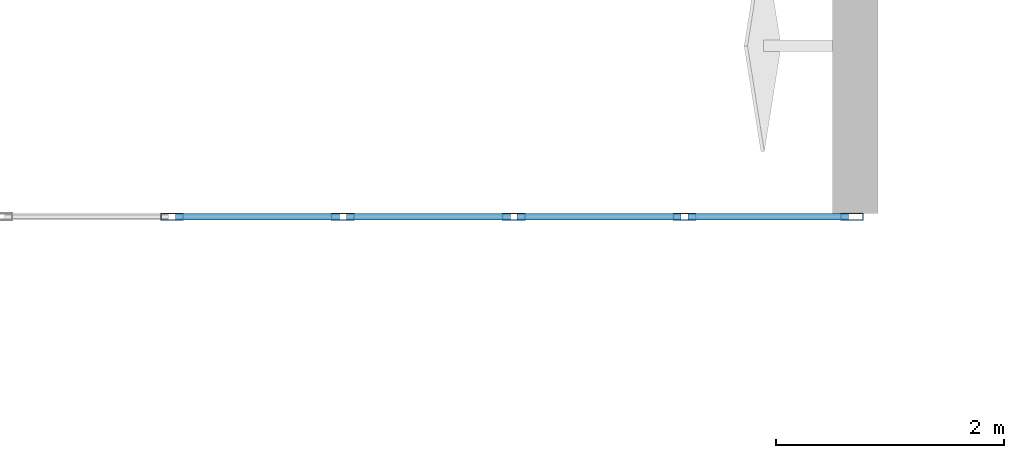
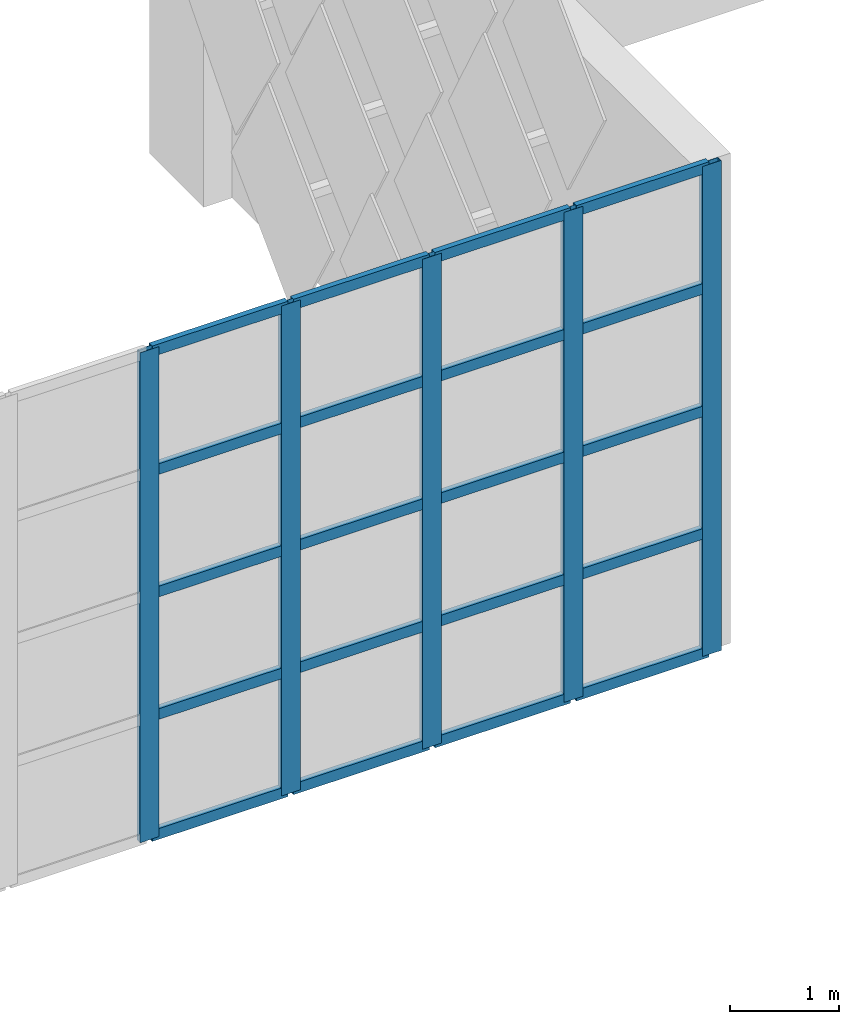
# One storey, part 46 of 185: 25 members, 1 element without a shape of its own.
"""IFC4 building model written with IfcOpenShell, lengths in metres."""

from ifc_helpers import new_model, si_unit, direction, frame, origin, origin_2d, place, context, subcontext, project, spatial, hollow_rectangle, extrude, material, layer, layer_set, material_profile, profile_set, type_object, element, aggregate, save


model = new_model("IFC4")

# Units and contexts
model_context = context("Model", 3, precision=1e-05, world=origin(), true_north=direction((0.0, 1.0)))
body_context = subcontext(model_context, "Body", "Model", "MODEL_VIEW")
ifc_project = project(units=[si_unit("LENGTHUNIT", "METRE"), si_unit("AREAUNIT", "SQUARE_METRE"), si_unit("VOLUMEUNIT", "CUBIC_METRE"), si_unit("PLANEANGLEUNIT", "RADIAN"), si_unit("MASSUNIT", "GRAM", prefix="KILO")], contexts=[model_context])

# Site, building, storey
site_placement = place(None, origin())
site = spatial("IfcSite", under=ifc_project, at=site_placement, CompositionType="ELEMENT")
building_placement = place(site_placement, origin())
building = spatial("IfcBuilding", under=site, at=building_placement, Name="Opaline Strait Convention Centre", CompositionType="ELEMENT")
storey_placement = place(building_placement, frame((0.0, 0.0, 6.0)))
storey = spatial("IfcBuildingStorey", under=building, at=storey_placement, Name="L01", CompositionType="ELEMENT", Elevation=6.0)

# Curtain wall, members
ifc_material_1 = material(Name="Aluminium framed glazing", Category="aluminium")
ifc_layer = layer(ifc_material_1, 0.199951171875)
ifc_layer_set = layer_set([ifc_layer], Name="Aluminium framed glazing")
curtain_wall_type = type_object("IfcCurtainWallType", Name="Entrance curtain wall 1500", PredefinedType="NOTDEFINED", material=ifc_layer_set)
curtain_wall_placement = place(storey_placement, origin())
curtain_wall = element("IfcCurtainWall", 1, at=curtain_wall_placement, inside=storey, type_object=curtain_wall_type, Name="Entrance curtain wall L01-R3", PredefinedType="NOTDEFINED")
ifc_material_2 = material(Name="Aluminium alloy 6063", Category="aluminium")
ifc_material_profile_1 = material_profile(ifc_material_2, hollow_rectangle(XDim=0.06005859375, YDim=0.199951171875, WallThickness=0.00390625, at=origin_2d()), Name="MULLION 60x200x4")
ifc_profile_set_1 = profile_set([ifc_material_profile_1], Name="Aluminium alloy 6063")
member_type_1 = type_object("IfcMemberType", Name="Curtain wall mullion 60 x 200", PredefinedType="MULLION", material=ifc_profile_set_1)
member_1_placement = place(storey_placement, frame((201.0, 144.0, 0.0), z_axis=(0.0, 0.0, 1.0), x_axis=(0.0, 1.0, 0.0)))
member_1 = element("IfcMember", 2, at=member_1_placement, type_object=member_type_1, Name="XCW mullion 9", PredefinedType="MULLION", context=body_context, shape_type="SweptSolid", body=[
    extrude(hollow_rectangle(XDim=0.06005859375, YDim=0.199951171875, WallThickness=0.00390625, at=origin_2d()), origin(), (0.0, 0.0, 1.0), 5.5),
])
member_2_placement = place(storey_placement, frame((202.5, 144.0, 0.0), z_axis=(0.0, 0.0, 1.0), x_axis=(0.0, 1.0, 0.0)))
member_2 = element("IfcMember", 3, at=member_2_placement, type_object=member_type_1, Name="XCW mullion 10", PredefinedType="MULLION", context=body_context, shape_type="SweptSolid", body=[
    extrude(hollow_rectangle(XDim=0.06005859375, YDim=0.199951171875, WallThickness=0.00390625, at=origin_2d()), origin(), (0.0, 0.0, 1.0), 5.5),
])
member_3_placement = place(storey_placement, frame((204.0, 144.0, 0.0), z_axis=(0.0, 0.0, 1.0), x_axis=(0.0, 1.0, 0.0)))
member_3 = element("IfcMember", 4, at=member_3_placement, type_object=member_type_1, Name="XCW mullion 11", PredefinedType="MULLION", context=body_context, shape_type="SweptSolid", body=[
    extrude(hollow_rectangle(XDim=0.06005859375, YDim=0.199951171875, WallThickness=0.00390625, at=origin_2d()), origin(), (0.0, 0.0, 1.0), 5.5),
])
member_4_placement = place(storey_placement, frame((205.5, 144.0, 0.0), z_axis=(0.0, 0.0, 1.0), x_axis=(0.0, 1.0, 0.0)))
member_4 = element("IfcMember", 5, at=member_4_placement, type_object=member_type_1, Name="XCW mullion 12", PredefinedType="MULLION", context=body_context, shape_type="SweptSolid", body=[
    extrude(hollow_rectangle(XDim=0.06005859375, YDim=0.199951171875, WallThickness=0.00390625, at=origin_2d()), origin(), (0.0, 0.0, 1.0), 5.5),
])
member_5_placement = place(storey_placement, frame((206.969970703125, 144.0, 0.0), z_axis=(0.0, 0.0, 1.0), x_axis=(0.0, 1.0, 0.0)))
member_5 = element("IfcMember", 6, at=member_5_placement, type_object=member_type_1, Name="XCW mullion 13", PredefinedType="MULLION", context=body_context, shape_type="SweptSolid", body=[
    extrude(hollow_rectangle(XDim=0.06005859375, YDim=0.199951171875, WallThickness=0.00390625, at=origin_2d()), origin(), (0.0, 0.0, 1.0), 5.5),
])
ifc_material_profile_2 = material_profile(ifc_material_2, hollow_rectangle(XDim=0.06005859375, YDim=0.1201171875, WallThickness=0.0029296875, at=origin_2d()), Name="TRANSOM 60x120x3")
ifc_profile_set_2 = profile_set([ifc_material_profile_2], Name="Aluminium alloy 6063")
member_type_2 = type_object("IfcMemberType", Name="Curtain wall transom 60 x 120", PredefinedType="USERDEFINED", material=ifc_profile_set_2)
member_6_placement = place(storey_placement, frame((201.030029296875, 144.0, 0.030029296875), z_axis=(1.0, 0.0, 0.0), x_axis=(0.0, 1.0, 0.0)))
member_6 = element("IfcMember", 7, at=member_6_placement, type_object=member_type_2, Name="XCW transom 9.1", ObjectType="TRANSOM", PredefinedType="USERDEFINED", context=body_context, shape_type="SweptSolid", body=[
    extrude(hollow_rectangle(XDim=0.06005859375, YDim=0.1201171875, WallThickness=0.0029296875, at=origin_2d()), origin(), (0.0, 0.0, 1.0), 1.43994140625),
])
member_7_placement = place(storey_placement, frame((201.030029296875, 144.0, 1.375), z_axis=(1.0, 0.0, 0.0), x_axis=(0.0, 1.0, 0.0)))
member_7 = element("IfcMember", 8, at=member_7_placement, type_object=member_type_2, Name="XCW transom 9.2", ObjectType="TRANSOM", PredefinedType="USERDEFINED", context=body_context, shape_type="SweptSolid", body=[
    extrude(hollow_rectangle(XDim=0.06005859375, YDim=0.1201171875, WallThickness=0.0029296875, at=origin_2d()), origin(), (0.0, 0.0, 1.0), 1.43994140625),
])
member_8_placement = place(storey_placement, frame((201.030029296875, 144.0, 2.75), z_axis=(1.0, 0.0, 0.0), x_axis=(0.0, 1.0, 0.0)))
member_8 = element("IfcMember", 9, at=member_8_placement, type_object=member_type_2, Name="XCW transom 9.3", ObjectType="TRANSOM", PredefinedType="USERDEFINED", context=body_context, shape_type="SweptSolid", body=[
    extrude(hollow_rectangle(XDim=0.06005859375, YDim=0.1201171875, WallThickness=0.0029296875, at=origin_2d()), origin(), (0.0, 0.0, 1.0), 1.43994140625),
])
member_9_placement = place(storey_placement, frame((201.030029296875, 144.0, 4.125), z_axis=(1.0, 0.0, 0.0), x_axis=(0.0, 1.0, 0.0)))
member_9 = element("IfcMember", 10, at=member_9_placement, type_object=member_type_2, Name="XCW transom 9.4", ObjectType="TRANSOM", PredefinedType="USERDEFINED", context=body_context, shape_type="SweptSolid", body=[
    extrude(hollow_rectangle(XDim=0.06005859375, YDim=0.1201171875, WallThickness=0.0029296875, at=origin_2d()), origin(), (0.0, 0.0, 1.0), 1.43994140625),
])
member_10_placement = place(storey_placement, frame((201.030029296875, 144.0, 5.469970703125), z_axis=(1.0, 0.0, 0.0), x_axis=(0.0, 1.0, 0.0)))
member_10 = element("IfcMember", 11, at=member_10_placement, type_object=member_type_2, Name="XCW transom 9.5", ObjectType="TRANSOM", PredefinedType="USERDEFINED", context=body_context, shape_type="SweptSolid", body=[
    extrude(hollow_rectangle(XDim=0.06005859375, YDim=0.1201171875, WallThickness=0.0029296875, at=origin_2d()), origin(), (0.0, 0.0, 1.0), 1.43994140625),
])
member_11_placement = place(storey_placement, frame((202.530029296875, 144.0, 0.030029296875), z_axis=(1.0, 0.0, 0.0), x_axis=(0.0, 1.0, 0.0)))
member_11 = element("IfcMember", 12, at=member_11_placement, type_object=member_type_2, Name="XCW transom 10.1", ObjectType="TRANSOM", PredefinedType="USERDEFINED", context=body_context, shape_type="SweptSolid", body=[
    extrude(hollow_rectangle(XDim=0.06005859375, YDim=0.1201171875, WallThickness=0.0029296875, at=origin_2d()), origin(), (0.0, 0.0, 1.0), 1.43994140625),
])
member_12_placement = place(storey_placement, frame((202.530029296875, 144.0, 1.375), z_axis=(1.0, 0.0, 0.0), x_axis=(0.0, 1.0, 0.0)))
member_12 = element("IfcMember", 13, at=member_12_placement, type_object=member_type_2, Name="XCW transom 10.2", ObjectType="TRANSOM", PredefinedType="USERDEFINED", context=body_context, shape_type="SweptSolid", body=[
    extrude(hollow_rectangle(XDim=0.06005859375, YDim=0.1201171875, WallThickness=0.0029296875, at=origin_2d()), origin(), (0.0, 0.0, 1.0), 1.43994140625),
])
member_13_placement = place(storey_placement, frame((202.530029296875, 144.0, 2.75), z_axis=(1.0, 0.0, 0.0), x_axis=(0.0, 1.0, 0.0)))
member_13 = element("IfcMember", 14, at=member_13_placement, type_object=member_type_2, Name="XCW transom 10.3", ObjectType="TRANSOM", PredefinedType="USERDEFINED", context=body_context, shape_type="SweptSolid", body=[
    extrude(hollow_rectangle(XDim=0.06005859375, YDim=0.1201171875, WallThickness=0.0029296875, at=origin_2d()), origin(), (0.0, 0.0, 1.0), 1.43994140625),
])
member_14_placement = place(storey_placement, frame((202.530029296875, 144.0, 4.125), z_axis=(1.0, 0.0, 0.0), x_axis=(0.0, 1.0, 0.0)))
member_14 = element("IfcMember", 15, at=member_14_placement, type_object=member_type_2, Name="XCW transom 10.4", ObjectType="TRANSOM", PredefinedType="USERDEFINED", context=body_context, shape_type="SweptSolid", body=[
    extrude(hollow_rectangle(XDim=0.06005859375, YDim=0.1201171875, WallThickness=0.0029296875, at=origin_2d()), origin(), (0.0, 0.0, 1.0), 1.43994140625),
])
member_15_placement = place(storey_placement, frame((202.530029296875, 144.0, 5.469970703125), z_axis=(1.0, 0.0, 0.0), x_axis=(0.0, 1.0, 0.0)))
member_15 = element("IfcMember", 16, at=member_15_placement, type_object=member_type_2, Name="XCW transom 10.5", ObjectType="TRANSOM", PredefinedType="USERDEFINED", context=body_context, shape_type="SweptSolid", body=[
    extrude(hollow_rectangle(XDim=0.06005859375, YDim=0.1201171875, WallThickness=0.0029296875, at=origin_2d()), origin(), (0.0, 0.0, 1.0), 1.43994140625),
])
member_16_placement = place(storey_placement, frame((204.030029296875, 144.0, 0.030029296875), z_axis=(1.0, 0.0, 0.0), x_axis=(0.0, 1.0, 0.0)))
member_16 = element("IfcMember", 17, at=member_16_placement, type_object=member_type_2, Name="XCW transom 11.1", ObjectType="TRANSOM", PredefinedType="USERDEFINED", context=body_context, shape_type="SweptSolid", body=[
    extrude(hollow_rectangle(XDim=0.06005859375, YDim=0.1201171875, WallThickness=0.0029296875, at=origin_2d()), origin(), (0.0, 0.0, 1.0), 1.43994140625),
])
member_17_placement = place(storey_placement, frame((204.030029296875, 144.0, 1.375), z_axis=(1.0, 0.0, 0.0), x_axis=(0.0, 1.0, 0.0)))
member_17 = element("IfcMember", 18, at=member_17_placement, type_object=member_type_2, Name="XCW transom 11.2", ObjectType="TRANSOM", PredefinedType="USERDEFINED", context=body_context, shape_type="SweptSolid", body=[
    extrude(hollow_rectangle(XDim=0.06005859375, YDim=0.1201171875, WallThickness=0.0029296875, at=origin_2d()), origin(), (0.0, 0.0, 1.0), 1.43994140625),
])
member_18_placement = place(storey_placement, frame((204.030029296875, 144.0, 2.75), z_axis=(1.0, 0.0, 0.0), x_axis=(0.0, 1.0, 0.0)))
member_18 = element("IfcMember", 19, at=member_18_placement, type_object=member_type_2, Name="XCW transom 11.3", ObjectType="TRANSOM", PredefinedType="USERDEFINED", context=body_context, shape_type="SweptSolid", body=[
    extrude(hollow_rectangle(XDim=0.06005859375, YDim=0.1201171875, WallThickness=0.0029296875, at=origin_2d()), origin(), (0.0, 0.0, 1.0), 1.43994140625),
])
member_19_placement = place(storey_placement, frame((204.030029296875, 144.0, 4.125), z_axis=(1.0, 0.0, 0.0), x_axis=(0.0, 1.0, 0.0)))
member_19 = element("IfcMember", 20, at=member_19_placement, type_object=member_type_2, Name="XCW transom 11.4", ObjectType="TRANSOM", PredefinedType="USERDEFINED", context=body_context, shape_type="SweptSolid", body=[
    extrude(hollow_rectangle(XDim=0.06005859375, YDim=0.1201171875, WallThickness=0.0029296875, at=origin_2d()), origin(), (0.0, 0.0, 1.0), 1.43994140625),
])
member_20_placement = place(storey_placement, frame((204.030029296875, 144.0, 5.469970703125), z_axis=(1.0, 0.0, 0.0), x_axis=(0.0, 1.0, 0.0)))
member_20 = element("IfcMember", 21, at=member_20_placement, type_object=member_type_2, Name="XCW transom 11.5", ObjectType="TRANSOM", PredefinedType="USERDEFINED", context=body_context, shape_type="SweptSolid", body=[
    extrude(hollow_rectangle(XDim=0.06005859375, YDim=0.1201171875, WallThickness=0.0029296875, at=origin_2d()), origin(), (0.0, 0.0, 1.0), 1.43994140625),
])
member_21_placement = place(storey_placement, frame((205.530029296875, 144.0, 0.030029296875), z_axis=(1.0, 0.0, 0.0), x_axis=(0.0, 1.0, 0.0)))
member_21 = element("IfcMember", 22, at=member_21_placement, type_object=member_type_2, Name="XCW transom 12.1", ObjectType="TRANSOM", PredefinedType="USERDEFINED", context=body_context, shape_type="SweptSolid", body=[
    extrude(hollow_rectangle(XDim=0.06005859375, YDim=0.1201171875, WallThickness=0.0029296875, at=origin_2d()), origin(), (0.0, 0.0, 1.0), 1.409912109375),
])
member_22_placement = place(storey_placement, frame((205.530029296875, 144.0, 1.375), z_axis=(1.0, 0.0, 0.0), x_axis=(0.0, 1.0, 0.0)))
member_22 = element("IfcMember", 23, at=member_22_placement, type_object=member_type_2, Name="XCW transom 12.2", ObjectType="TRANSOM", PredefinedType="USERDEFINED", context=body_context, shape_type="SweptSolid", body=[
    extrude(hollow_rectangle(XDim=0.06005859375, YDim=0.1201171875, WallThickness=0.0029296875, at=origin_2d()), origin(), (0.0, 0.0, 1.0), 1.409912109375),
])
member_23_placement = place(storey_placement, frame((205.530029296875, 144.0, 2.75), z_axis=(1.0, 0.0, 0.0), x_axis=(0.0, 1.0, 0.0)))
member_23 = element("IfcMember", 24, at=member_23_placement, type_object=member_type_2, Name="XCW transom 12.3", ObjectType="TRANSOM", PredefinedType="USERDEFINED", context=body_context, shape_type="SweptSolid", body=[
    extrude(hollow_rectangle(XDim=0.06005859375, YDim=0.1201171875, WallThickness=0.0029296875, at=origin_2d()), origin(), (0.0, 0.0, 1.0), 1.409912109375),
])
member_24_placement = place(storey_placement, frame((205.530029296875, 144.0, 4.125), z_axis=(1.0, 0.0, 0.0), x_axis=(0.0, 1.0, 0.0)))
member_24 = element("IfcMember", 25, at=member_24_placement, type_object=member_type_2, Name="XCW transom 12.4", ObjectType="TRANSOM", PredefinedType="USERDEFINED", context=body_context, shape_type="SweptSolid", body=[
    extrude(hollow_rectangle(XDim=0.06005859375, YDim=0.1201171875, WallThickness=0.0029296875, at=origin_2d()), origin(), (0.0, 0.0, 1.0), 1.409912109375),
])
member_25_placement = place(storey_placement, frame((205.530029296875, 144.0, 5.469970703125), z_axis=(1.0, 0.0, 0.0), x_axis=(0.0, 1.0, 0.0)))
member_25 = element("IfcMember", 26, at=member_25_placement, type_object=member_type_2, Name="XCW transom 12.5", ObjectType="TRANSOM", PredefinedType="USERDEFINED", context=body_context, shape_type="SweptSolid", body=[
    extrude(hollow_rectangle(XDim=0.06005859375, YDim=0.1201171875, WallThickness=0.0029296875, at=origin_2d()), origin(), (0.0, 0.0, 1.0), 1.409912109375),
])
aggregate(curtain_wall, [member_1, member_2, member_3, member_4, member_5, member_6, member_7, member_8, member_9, member_10, member_11, member_12, member_13, member_14, member_15, member_16, member_17, member_18, member_19, member_20, member_21, member_22, member_23, member_24, member_25])

save(model, "model.ifc")
